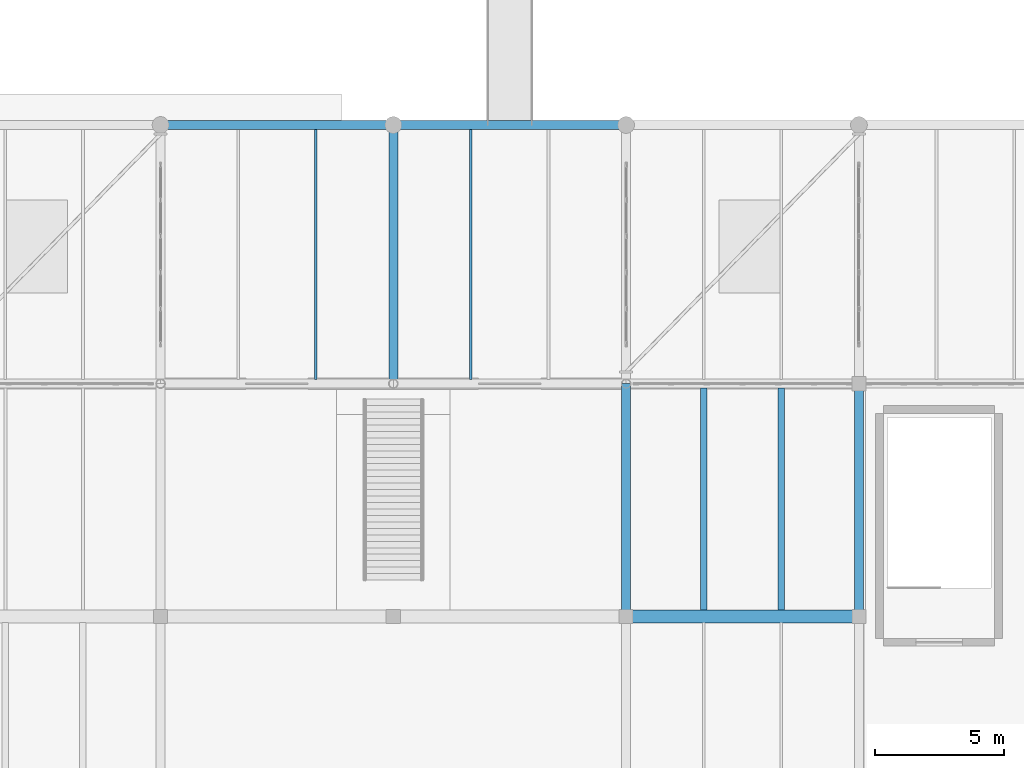
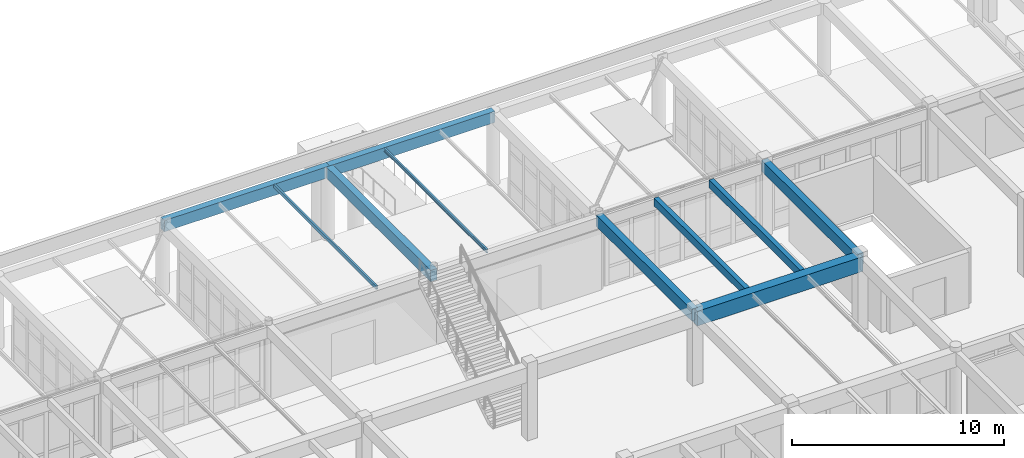
# One storey, part 98 of 186: 10 beams.
"""IFC4 building model written with IfcOpenShell, lengths in metres."""

from ifc_helpers import new_model, si_unit, direction, frame, origin, origin_2d, place, context, subcontext, project, spatial, rectangle, hollow_rectangle, i_section, extrude, material, material_profile, profile_set, type_object, element, save


model = new_model("IFC4")

# Units and contexts
model_context = context("Model", 3, precision=1e-05, world=origin(), true_north=direction((0.0, 1.0)))
body_context = subcontext(model_context, "Body", "Model", "MODEL_VIEW")
ifc_project = project(units=[si_unit("LENGTHUNIT", "METRE"), si_unit("AREAUNIT", "SQUARE_METRE"), si_unit("VOLUMEUNIT", "CUBIC_METRE"), si_unit("PLANEANGLEUNIT", "RADIAN"), si_unit("MASSUNIT", "GRAM", prefix="KILO")], contexts=[model_context])

# Site, building, storey
site_placement = place(None, origin())
site = spatial("IfcSite", under=ifc_project, at=site_placement, CompositionType="ELEMENT")
building_placement = place(site_placement, origin())
building = spatial("IfcBuilding", under=site, at=building_placement, Name="Ornek Quay Market", CompositionType="ELEMENT")
storey_placement = place(building_placement, origin())
storey = spatial("IfcBuildingStorey", under=building, at=storey_placement, Name="L00", CompositionType="ELEMENT", Elevation=0.0)

# Beams
ifc_material_1 = material(Name="Concrete C35/45", Category="concrete")
ifc_material_profile_1 = material_profile(ifc_material_1, rectangle(XDim=0.35009765625, YDim=0.64990234375, at=origin_2d()), Name="RC 350x650", Category="concrete")
ifc_profile_set_1 = profile_set([ifc_material_profile_1], Name="Concrete C35/45")
beam_type_1 = type_object("IfcBeamType", Name="BM-CONC-350x650", PredefinedType="BEAM", material=ifc_profile_set_1)
for number, where, z_axis, x_axis, name in (
    (1, (81.0, 120.0, 3.864990234375), (1.0, 0.0, 0.0), (0.0, 1.0, 0.0), "Primary beam B-CN1-019"),
    (2, (90.0, 120.0, 3.864990234375), (1.0, 0.0, 0.0), (0.0, 1.0, 0.0), "Primary beam B-CN1-020"),
):
    element("IfcBeam", number, at=place(storey_placement, frame(where, z_axis=z_axis, x_axis=x_axis)), inside=storey, type_object=beam_type_1, Name=name, PredefinedType="BEAM", context=body_context, shape_type="SweptSolid", body=[
        extrude(rectangle(XDim=0.35009765625, YDim=0.64990234375, at=origin_2d()), origin(), (0.0, 0.0, 1.0), 9.0),
    ])
beam_1_placement = place(storey_placement, frame((90.0, 110.0, 3.864990234375), z_axis=(0.0, 1.0, 0.0), x_axis=(-1.0, 0.0, 0.0)))
element("IfcBeam", 3, at=beam_1_placement, inside=storey, type_object=beam_type_1, Name="Primary beam B-CN1-028", PredefinedType="BEAM", context=body_context, shape_type="SweptSolid", body=[
    extrude(rectangle(XDim=0.35009765625, YDim=0.64990234375, at=origin_2d()), origin(), (0.0, 0.0, 1.0), 10.0),
])
for number, where, z_axis, x_axis, name in (
    (4, (99.0, 101.0, 3.9150390625), (0.0, 1.0, 0.0), (-1.0, 0.0, 0.0), "Primary beam B-CN1-106"),
    (5, (108.0, 101.0, 3.9150390625), (0.0, 1.0, 0.0), (-1.0, 0.0, 0.0), "Primary beam B-CN1-108"),
):
    element("IfcBeam", number, at=place(storey_placement, frame(where, z_axis=z_axis, x_axis=x_axis)), inside=storey, type_object=beam_type_1, Name=name, PredefinedType="BEAM", context=body_context, shape_type="SweptSolid", body=[
        extrude(rectangle(XDim=0.35009765625, YDim=0.64990234375, at=origin_2d()), origin(), (0.0, 0.0, 1.0), 9.0),
    ])
ifc_material_2 = material(Name="Concrete C40/50", Category="concrete")
ifc_material_profile_2 = material_profile(ifc_material_2, rectangle(XDim=0.5, YDim=0.85009765625, at=origin_2d()), Name="RC 500x850", Category="concrete")
ifc_profile_set_2 = profile_set([ifc_material_profile_2], Name="Concrete C40/50")
beam_type_2 = type_object("IfcBeamType", Name="BM-GAL-500x850", PredefinedType="BEAM", material=ifc_profile_set_2)
beam_2_placement = place(storey_placement, frame((99.0, 101.0, 3.81494140625), z_axis=(1.0, 0.0, 0.0), x_axis=(0.0, 1.0, 0.0)))
element("IfcBeam", 6, at=beam_2_placement, inside=storey, type_object=beam_type_2, Name="Primary beam B-GL1-063", PredefinedType="BEAM", context=body_context, shape_type="SweptSolid", body=[
    extrude(rectangle(XDim=0.5, YDim=0.85009765625, at=origin_2d()), origin(), (0.0, 0.0, 1.0), 9.0),
])
ifc_material_3 = material(Name="Steel S355", Category="steel")
ifc_material_profile_3 = material_profile(ifc_material_3, hollow_rectangle(XDim=0.10009765625, YDim=0.199951171875, WallThickness=0.010009765625, at=origin_2d()), Name="RHS 200x100x10", Category="steel")
ifc_profile_set_3 = profile_set([ifc_material_profile_3], Name="Steel S355")
beam_type_3 = type_object("IfcBeamType", Name="BM-RHS-RHS200x100x10", PredefinedType="BEAM", material=ifc_profile_set_3)
beam_3_placement = place(storey_placement, frame((87.0, 110.1669921875, 4.090087890625), z_axis=(0.0, 1.0, 0.0), x_axis=(-1.0, 0.0, 0.0)))
element("IfcBeam", 7, at=beam_3_placement, inside=storey, type_object=beam_type_3, Name="Secondary joist SR-04-004", PredefinedType="BEAM", context=body_context, shape_type="SweptSolid", body=[
    extrude(hollow_rectangle(XDim=0.10009765625, YDim=0.199951171875, WallThickness=0.010009765625, at=origin_2d()), origin(), (0.0, 0.0, 1.0), 9.666015625),
])
ifc_material_profile_4 = material_profile(ifc_material_1, rectangle(XDim=0.25, YDim=0.449951171875, at=origin_2d()), Name="RC 250x450", Category="concrete")
ifc_profile_set_4 = profile_set([ifc_material_profile_4], Name="Concrete C35/45")
beam_type_4 = type_object("IfcBeamType", Name="BM-SEC-250x450", PredefinedType="JOIST", material=ifc_profile_set_4)
for number, where, z_axis, x_axis, name in (
    (8, (102.0, 101.241943359375, 4.014892578125), (0.0, 1.0, 0.0), (-1.0, 0.0, 0.0), "Secondary joist B-SC3-005"),
    (9, (105.0, 101.241943359375, 4.014892578125), (0.0, 1.0, 0.0), (-1.0, 0.0, 0.0), "Secondary joist B-SC3-006"),
):
    element("IfcBeam", number, at=place(storey_placement, frame(where, z_axis=z_axis, x_axis=x_axis)), inside=storey, type_object=beam_type_4, Name=name, PredefinedType="JOIST", context=body_context, shape_type="SweptSolid", body=[
        extrude(rectangle(XDim=0.25, YDim=0.449951171875, at=origin_2d()), origin(), (0.0, 0.0, 1.0), 8.591064453125),
    ])
ifc_material_profile_5 = material_profile(ifc_material_3, i_section(OverallWidth=0.10009765625, OverallDepth=0.199951171875, WebThickness=0.005615234375, FlangeThickness=0.008544921875, FilletRadius=0.011962890625, at=origin_2d()), Name="IPE 200", Category="steel")
ifc_profile_set_5 = profile_set([ifc_material_profile_5], Name="Steel S355")
beam_type_5 = type_object("IfcBeamType", Name="BM-STL-IPE200", PredefinedType="JOIST", material=ifc_profile_set_5)
beam_4_placement = place(storey_placement, frame((93.0, 110.1669921875, 4.090087890625), z_axis=(0.0, 1.0, 0.0), x_axis=(-1.0, 0.0, 0.0)))
element("IfcBeam", 10, at=beam_4_placement, inside=storey, type_object=beam_type_5, Name="Secondary joist SB-02-007", PredefinedType="JOIST", context=body_context, shape_type="SweptSolid", body=[
    extrude(i_section(OverallWidth=0.10009765625, OverallDepth=0.199951171875, WebThickness=0.005615234375, FlangeThickness=0.008544921875, FilletRadius=0.011962890625, at=origin_2d()), origin(), (0.0, 0.0, 1.0), 9.666015625),
])

save(model, "model.ifc")
